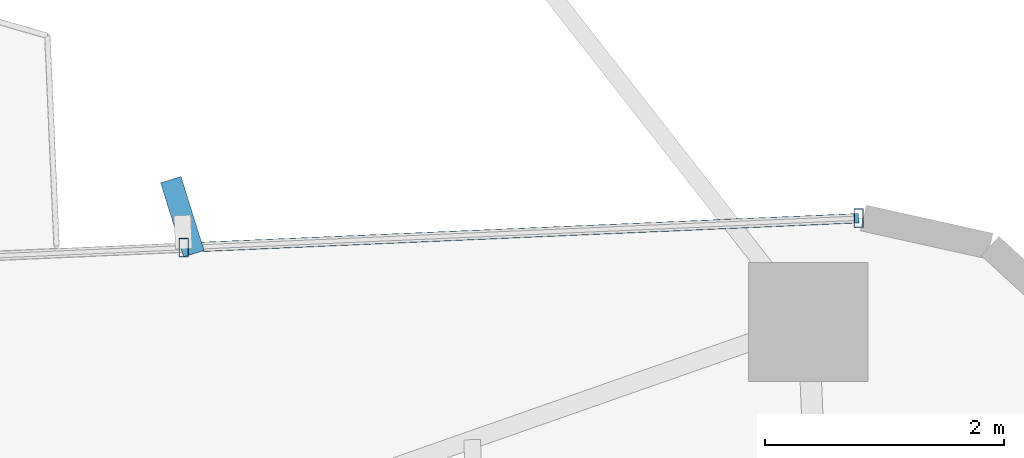
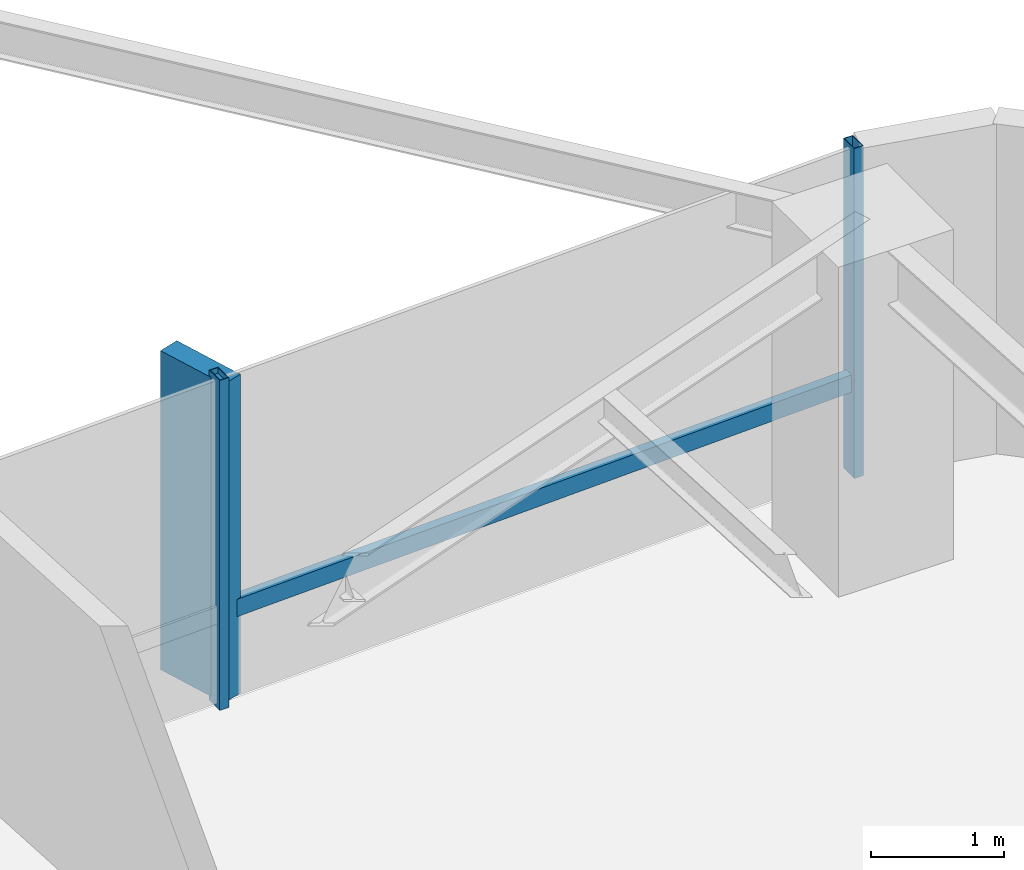
# One storey, part 20 of 26: 4 members, 1 element without a shape of its own.
"""IFC4 building model written with IfcOpenShell, lengths in metres."""

from ifc_helpers import new_model, si_unit, direction, frame, origin, origin_2d, place, context, subcontext, project, spatial, rectangle, hollow_rectangle, extrude, source, transform, mapped, material, material_profile, profile_set, type_object, element, aggregate, save


model = new_model("IFC4")

# Units and contexts
model_context = context("Model", 3, precision=1e-05, world=origin(), true_north=direction((0.0, 1.0)))
body_context = subcontext(model_context, "Body", "Model", "MODEL_VIEW")
ifc_project = project(units=[si_unit("LENGTHUNIT", "METRE"), si_unit("AREAUNIT", "SQUARE_METRE"), si_unit("VOLUMEUNIT", "CUBIC_METRE"), si_unit("PLANEANGLEUNIT", "RADIAN"), si_unit("MASSUNIT", "GRAM", prefix="KILO")], contexts=[model_context])

# Site, building, storey
site_placement = place(None, origin())
site = spatial("IfcSite", under=ifc_project, at=site_placement, CompositionType="ELEMENT")
building_placement = place(site_placement, origin())
building = spatial("IfcBuilding", under=site, at=building_placement, Name="Sahyath Konkavel Grand Hotel", CompositionType="ELEMENT")
storey_placement = place(building_placement, frame((0.0, 0.0, 134.89990234375)))
storey = spatial("IfcBuildingStorey", under=building, at=storey_placement, Name="L37", CompositionType="ELEMENT", Elevation=134.89990234375)

# Curtain wall, members
ifc_material_1 = material(Name="Anodised Bronze Aluminium & Low-E Glazing", Category="aluminium")
curtain_wall_type = type_object("IfcCurtainWallType", Name="CW-ZONE2", PredefinedType="NOTDEFINED", material=ifc_material_1)
curtain_wall_placement = place(storey_placement, origin())
curtain_wall = element("IfcCurtainWall", 1, at=curtain_wall_placement, inside=storey, type_object=curtain_wall_type, Name="L37 Unitised Curtain Wall F7", PredefinedType="NOTDEFINED")
ifc_material_2 = material(Name="Anodised Bronze Aluminium", Category="aluminium")
ifc_material_profile_1 = material_profile(ifc_material_2, hollow_rectangle(XDim=0.080078125, YDim=0.159912109375, WallThickness=0.006103515625, at=origin_2d()), Name="RHS 160x80x6")
ifc_profile_set_1 = profile_set([ifc_material_profile_1], Name="Anodised Bronze Aluminium")
member_type_1 = type_object("IfcMemberType", Name="CW-MUL-160", PredefinedType="MULLION", material=ifc_profile_set_1)
shared_shape_1 = source(origin(), body_context, "Body", "SweptSolid", [
    extrude(hollow_rectangle(XDim=0.080078125, YDim=0.159912109375, WallThickness=0.006103515625, at=origin_2d()), origin(), (0.0, 0.0, 1.0), 3.030029296875),
])
member_1_placement = place(storey_placement, frame((17.655029296875, 7.377197265625, 0.0), z_axis=(0.0, 0.0, 1.0), x_axis=(1.0, 0.0, 0.0)))
member_1 = element("IfcMember", 2, at=member_1_placement, type_object=member_type_1, Name="L37 Curtain Wall Mullion F7-0", PredefinedType="MULLION", context=body_context, shape_type="MappedRepresentation", body=[
    mapped(shared_shape_1, transform((0.0, 0.0, 0.0), scale=1.0)),
])
member_2_placement = place(storey_placement, frame((12.00048828125, 7.13037109375, 0.0), z_axis=(0.0, 0.0, 1.0), x_axis=(1.0, 0.0, 0.0)))
member_2 = element("IfcMember", 3, at=member_2_placement, type_object=member_type_1, Name="L37 Curtain Wall Mullion F7-1", PredefinedType="MULLION", context=body_context, shape_type="MappedRepresentation", body=[
    mapped(shared_shape_1, transform((0.0, 0.0, 0.0), scale=1.0)),
])
ifc_material_3 = material(Name="Warm Buff Sandstone Cladding on Concrete C50/60", Category="masonry")
ifc_material_profile_2 = material_profile(ifc_material_3, rectangle(XDim=0.179931640625, YDim=0.64990234375, at=origin_2d()), Name="FIN 180x650")
ifc_profile_set_2 = profile_set([ifc_material_profile_2], Name="Warm Buff Sandstone Cladding on Concrete C50/60")
member_type_2 = type_object("IfcMemberType", Name="FIN-SANDSTONE-650", PredefinedType="MULLION", material=ifc_profile_set_2)
shared_shape_2 = source(origin(), body_context, "Body", "SweptSolid", [
    extrude(rectangle(XDim=0.179931640625, YDim=0.64990234375, at=origin_2d()), origin(), (0.0, 0.0, 1.0), 2.929931640625),
])
member_3_placement = place(storey_placement, frame((11.989013671875, 7.39013671875, 0.050048828125), z_axis=(0.0, 0.0, 1.0), x_axis=(0.954812686667, 0.297208232354, 0.0)))
member_3 = element("IfcMember", 4, at=member_3_placement, type_object=member_type_2, Name="L37 Sandstone Vertical Solar Fin FIN F7-1", PredefinedType="MULLION", context=body_context, shape_type="MappedRepresentation", body=[
    mapped(shared_shape_2, transform((0.0, 0.0, 0.0), scale=1.0)),
])
ifc_material_profile_3 = material_profile(ifc_material_2, hollow_rectangle(XDim=0.080078125, YDim=0.159912109375, WallThickness=0.006103515625, at=origin_2d()), Name="RHS 160x80x6")
ifc_profile_set_3 = profile_set([ifc_material_profile_3], Name="Anodised Bronze Aluminium")
member_type_3 = type_object("IfcMemberType", Name="CW-TRN-160", PredefinedType="USERDEFINED", material=ifc_profile_set_3)
shared_shape_3 = source(origin(), body_context, "Body", "SweptSolid", [
    extrude(hollow_rectangle(XDim=0.080078125, YDim=0.159912109375, WallThickness=0.006103515625, at=origin_2d()), origin(), (0.0, 0.0, 1.0), 5.659912109375),
])
member_4_placement = place(storey_placement, frame((17.655029296875, 7.377197265625, 0.85009765625), z_axis=(-0.999048655935, -0.043609437898, 0.0), x_axis=(0.043609437898, -0.999048655935, 0.0)))
member_4 = element("IfcMember", 5, at=member_4_placement, type_object=member_type_3, Name="L37 Curtain Wall Transom F7-0-spandrel", ObjectType="TRANSOM", PredefinedType="USERDEFINED", context=body_context, shape_type="MappedRepresentation", body=[
    mapped(shared_shape_3, transform((0.0, 0.0, 0.0), scale=1.0)),
])
aggregate(curtain_wall, [member_1, member_2, member_3, member_4])

save(model, "model.ifc")
